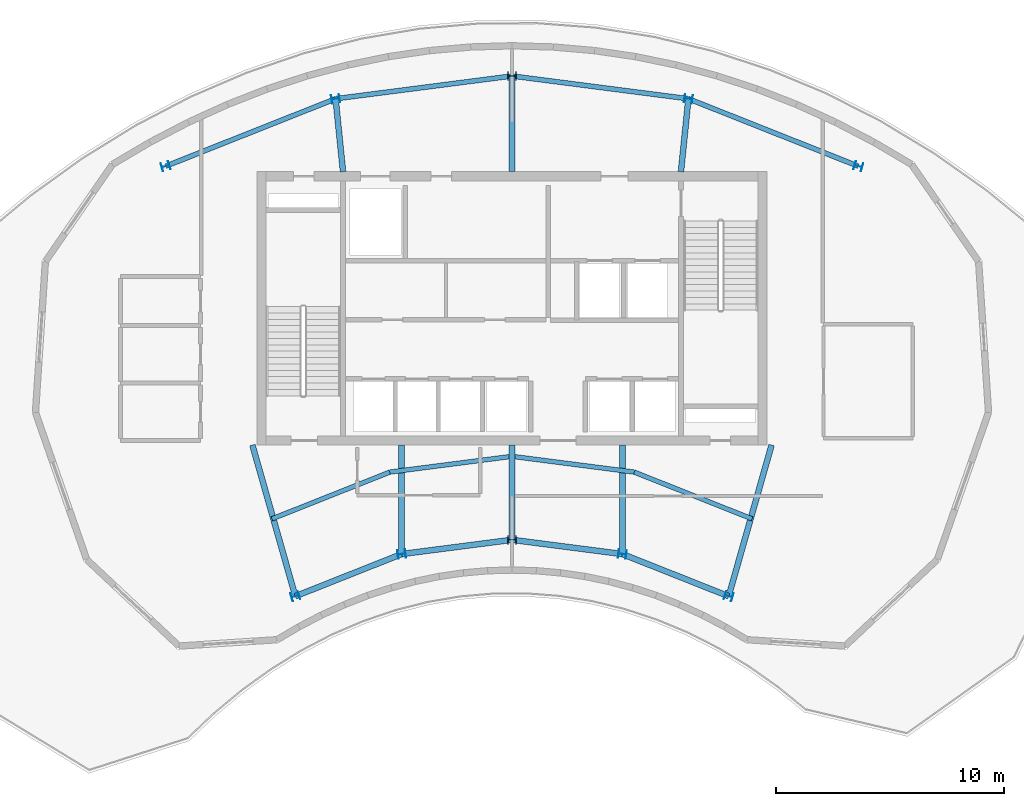
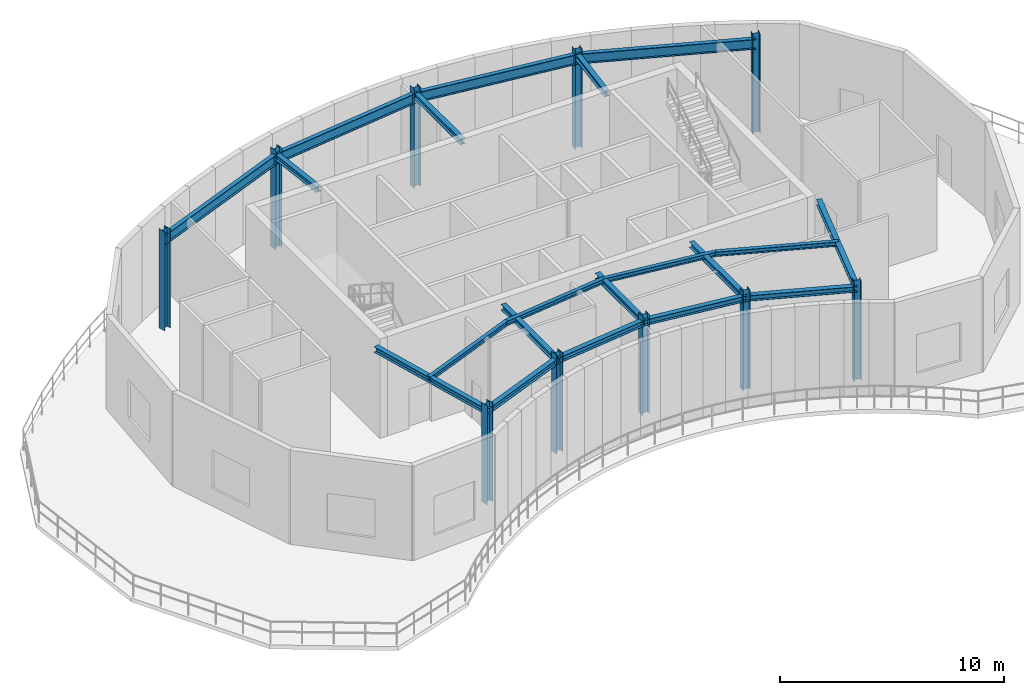
# One storey, part 1 of 8: 20 beams, 10 columns.
"""IFC4 building model written with IfcOpenShell, lengths in metres."""

from ifc_helpers import new_model, si_unit, direction, frame, origin, origin_2d, place, context, subcontext, project, spatial, i_section, extrude, source, transform, mapped, material, material_profile, profile_set, type_object, element, save


model = new_model("IFC4")

# Units and contexts
model_context = context("Model", 3, precision=1e-05, world=origin(), true_north=direction((0.0, 1.0)))
body_context = subcontext(model_context, "Body", "Model", "MODEL_VIEW")
ifc_project = project(units=[si_unit("LENGTHUNIT", "METRE"), si_unit("AREAUNIT", "SQUARE_METRE"), si_unit("VOLUMEUNIT", "CUBIC_METRE"), si_unit("PLANEANGLEUNIT", "RADIAN"), si_unit("MASSUNIT", "GRAM", prefix="KILO")], contexts=[model_context])

# Site, building, storey
site_placement = place(None, origin())
site = spatial("IfcSite", under=ifc_project, at=site_placement, CompositionType="ELEMENT")
building_placement = place(site_placement, origin())
building = spatial("IfcBuilding", under=site, at=building_placement, Name="Breltana Convention Tower", CompositionType="ELEMENT")
storey_placement = place(building_placement, frame((0.0, 0.0, 312.60009765625)))
storey = spatial("IfcBuildingStorey", under=building, at=storey_placement, Name="L76", CompositionType="ELEMENT", Elevation=312.60009765625)

# Columns
ifc_material = material(Name="Steel ASTM A992 Grade 50", Category="steel")
ifc_material_profile_1 = material_profile(ifc_material, i_section(OverallWidth=0.368896484375, OverallDepth=0.35595703125, WebThickness=0.01123046875, FlangeThickness=0.01806640625, at=origin_2d()), Name="W14X90")
ifc_profile_set_1 = profile_set([ifc_material_profile_1], Name="Steel ASTM A992 Grade 50")
column_type = type_object("IfcColumnType", Name="COL-STL-W14X90", PredefinedType="COLUMN", material=ifc_profile_set_1)
shared_shape_1 = source(origin(), body_context, "Body", "SweptSolid", [
    extrude(i_section(OverallWidth=0.368896484375, OverallDepth=0.35595703125, WebThickness=0.01123046875, FlangeThickness=0.01806640625, at=origin_2d()), origin(), (0.0, 0.0, 1.0), 5.39990234375),
])
for number, where, z_axis, x_axis, name in (
    (1, (38.485107421875, 53.5576171875, 0.0), (0.0, 0.0, 1.0), (-0.288697611798, 0.957420330337, 0.0), "L76 Tower Column R04-IN"),
    (2, (32.791015625, 72.4423828125, 0.0), (0.0, 0.0, 1.0), (-0.288697611798, 0.957420330337, 0.0), "L76 Tower Column R04-OUT"),
    (3, (43.153564453125, 55.41064453125, 0.0), (0.0, 0.0, 1.0), (-0.143492621991, 0.98965138682, 0.0), "L76 Tower Column R05-IN"),
    (4, (40.253173828125, 75.404296875, 0.0), (0.0, 0.0, 1.0), (-0.143492621991, 0.98965138682, 0.0), "L76 Tower Column R05-OUT"),
    (5, (48.0, 56.035888671875, 0.0), (0.0, 0.0, 1.0), (0.0, 1.0, 0.0), "L76 Tower Column R06-IN"),
    (6, (48.0, 76.404052734375, 0.0), (0.0, 0.0, 1.0), (0.0, 1.0, 0.0), "L76 Tower Column R06-OUT"),
    (7, (52.846435546875, 55.41064453125, 0.0), (0.0, 0.0, 1.0), (0.143492621991, 0.98965138682, 0.0), "L76 Tower Column R07-IN"),
    (8, (55.746826171875, 75.404296875, 0.0), (0.0, 0.0, 1.0), (0.143492621991, 0.98965138682, 0.0), "L76 Tower Column R07-OUT"),
    (9, (57.514892578125, 53.5576171875, 0.0), (0.0, 0.0, 1.0), (0.288697611798, 0.957420330337, 0.0), "L76 Tower Column R08-IN"),
    (10, (63.208984375, 72.4423828125, 0.0), (0.0, 0.0, 1.0), (0.288697611798, 0.957420330337, 0.0), "L76 Tower Column R08-OUT"),
):
    element("IfcColumn", number, at=place(storey_placement, frame(where, z_axis=z_axis, x_axis=x_axis)), inside=storey, type_object=column_type, Name=name, PredefinedType="COLUMN", context=body_context, shape_type="MappedRepresentation", body=[
        mapped(shared_shape_1, transform((0.0, 0.0, 0.0), scale=1.0)),
    ])

# Beams
ifc_material_profile_2 = material_profile(ifc_material, i_section(OverallWidth=0.214111328125, OverallDepth=0.549072265625, WebThickness=0.0146484375, FlangeThickness=0.023681640625, at=origin_2d()), Name="W21X93")
ifc_profile_set_2 = profile_set([ifc_material_profile_2], Name="Steel ASTM A992 Grade 50")
beam_type_1 = type_object("IfcBeamType", Name="BM-SP-W21X93", PredefinedType="SPANDREL", material=ifc_profile_set_2)
shared_shape_2 = source(origin(), body_context, "Body", "SweptSolid", [
    extrude(i_section(OverallWidth=0.214111328125, OverallDepth=0.549072265625, WebThickness=0.0146484375, FlangeThickness=0.023681640625, at=origin_2d()), origin(), (0.0, 0.0, 1.0), 8.028564453125),
])
for number, where, z_axis, x_axis, name in (
    (11, (32.791015625, 72.4423828125, 4.845458984375), (0.929459100394, 0.368925169507, 0.0), (-0.368925169507, 0.929459100394, 0.0), "L76 Outer Spandrel Beam 04"),
    (12, (55.746826171875, 75.404296875, 4.845458984375), (0.929459100394, -0.368925169507, 0.0), (0.368925169507, 0.929459100394, 0.0), "L76 Outer Spandrel Beam 07"),
):
    element("IfcBeam", number, at=place(storey_placement, frame(where, z_axis=z_axis, x_axis=x_axis)), inside=storey, type_object=beam_type_1, Name=name, PredefinedType="SPANDREL", context=body_context, shape_type="MappedRepresentation", body=[
        mapped(shared_shape_2, transform((0.0, 0.0, 0.0), scale=1.0)),
    ])
shared_shape_3 = source(origin(), body_context, "Body", "SweptSolid", [
    extrude(i_section(OverallWidth=0.214111328125, OverallDepth=0.549072265625, WebThickness=0.0146484375, FlangeThickness=0.023681640625, at=origin_2d()), origin(), (0.0, 0.0, 1.0), 7.81103515625),
])
for number, where, z_axis, x_axis, name in (
    (13, (40.253173828125, 75.404296875, 4.845458984375), (0.991775179127, 0.127992164083, 0.0), (-0.127992164083, 0.991775179127, 0.0), "L76 Outer Spandrel Beam 05"),
    (14, (48.0, 76.404052734375, 4.845458984375), (0.991775179127, -0.127992164083, 0.0), (0.127992164083, 0.991775179127, 0.0), "L76 Outer Spandrel Beam 06"),
):
    element("IfcBeam", number, at=place(storey_placement, frame(where, z_axis=z_axis, x_axis=x_axis)), inside=storey, type_object=beam_type_1, Name=name, PredefinedType="SPANDREL", context=body_context, shape_type="MappedRepresentation", body=[
        mapped(shared_shape_3, transform((0.0, 0.0, 0.0), scale=1.0)),
    ])
ifc_material_profile_3 = material_profile(ifc_material, i_section(OverallWidth=0.25390625, OverallDepth=0.305908203125, WebThickness=0.0087890625, FlangeThickness=0.0146484375, at=origin_2d()), Name="W12X53")
ifc_profile_set_3 = profile_set([ifc_material_profile_3], Name="Steel ASTM A992 Grade 50")
beam_type_2 = type_object("IfcBeamType", Name="BM-CN-W12X53", PredefinedType="BEAM", material=ifc_profile_set_3)
shared_shape_4 = source(origin(), body_context, "Body", "SweptSolid", [
    extrude(i_section(OverallWidth=0.25390625, OverallDepth=0.305908203125, WebThickness=0.0087890625, FlangeThickness=0.0146484375, at=origin_2d()), origin(), (0.0, 0.0, 1.0), 6.904541015625),
])
for number, where, z_axis, x_axis, name in (
    (15, (36.60009765625, 60.199951171875, 4.966796875), (0.273006781054, -0.962012108811, 0.0), (0.962012108811, 0.273006781054, 0.0), "L76 South Core Tie Girder R04"),
    (16, (59.39990234375, 60.199951171875, 4.966796875), (-0.273006781054, -0.962012108811, 0.0), (0.962012108811, -0.273006781054, 0.0), "L76 South Core Tie Girder R08"),
):
    element("IfcBeam", number, at=place(storey_placement, frame(where, z_axis=z_axis, x_axis=x_axis)), inside=storey, type_object=beam_type_2, Name=name, PredefinedType="BEAM", context=body_context, shape_type="MappedRepresentation", body=[
        mapped(shared_shape_4, transform((0.0, 0.0, 0.0), scale=1.0)),
    ])
shared_shape_5 = source(origin(), body_context, "Body", "SweptSolid", [
    extrude(i_section(OverallWidth=0.25390625, OverallDepth=0.305908203125, WebThickness=0.0087890625, FlangeThickness=0.0146484375, at=origin_2d()), origin(), (0.0, 0.0, 1.0), 4.789306640625),
])
for number, where, z_axis, x_axis, name in (
    (17, (43.153564453125, 60.199951171875, 4.966796875), (0.0, -1.0, 0.0), (1.0, 0.0, 0.0), "L76 South Core Tie Girder R05"),
    (18, (52.846435546875, 60.199951171875, 4.966796875), (0.0, -1.0, 0.0), (1.0, 0.0, 0.0), "L76 South Core Tie Girder R07"),
):
    element("IfcBeam", number, at=place(storey_placement, frame(where, z_axis=z_axis, x_axis=x_axis)), inside=storey, type_object=beam_type_2, Name=name, PredefinedType="BEAM", context=body_context, shape_type="MappedRepresentation", body=[
        mapped(shared_shape_5, transform((0.0, 0.0, 0.0), scale=1.0)),
    ])
shared_shape_6 = source(origin(), body_context, "Body", "SweptSolid", [
    extrude(i_section(OverallWidth=0.25390625, OverallDepth=0.305908203125, WebThickness=0.0087890625, FlangeThickness=0.0146484375, at=origin_2d()), origin(), (0.0, 0.0, 1.0), 3.220947265625),
])
for number, where, z_axis, x_axis, name in (
    (19, (40.580078125, 72.199951171875, 4.966796875), (-0.101492254858, 0.994836329355, 0.0), (-0.994836329355, -0.101492254858, 0.0), "L76 North Core Radial Girder R05"),
    (20, (55.419921875, 72.199951171875, 4.966796875), (0.101492254858, 0.994836329355, 0.0), (-0.994836329355, 0.101492254858, 0.0), "L76 North Core Radial Girder R07"),
):
    element("IfcBeam", number, at=place(storey_placement, frame(where, z_axis=z_axis, x_axis=x_axis)), inside=storey, type_object=beam_type_2, Name=name, PredefinedType="BEAM", context=body_context, shape_type="MappedRepresentation", body=[
        mapped(shared_shape_6, transform((0.0, 0.0, 0.0), scale=1.0)),
    ])
shared_shape_7 = source(origin(), body_context, "Body", "SweptSolid", [
    extrude(i_section(OverallWidth=0.25390625, OverallDepth=0.305908203125, WebThickness=0.0087890625, FlangeThickness=0.0146484375, at=origin_2d()), origin(), (0.0, 0.0, 1.0), 4.1640625),
])
beam_1_placement = place(storey_placement, frame((48.0, 60.199951171875, 4.966796875), z_axis=(0.0, -1.0, 0.0), x_axis=(1.0, 0.0, 0.0)))
element("IfcBeam", 21, at=beam_1_placement, inside=storey, type_object=beam_type_2, Name="L76 South Core Tie Girder R06", PredefinedType="BEAM", context=body_context, shape_type="MappedRepresentation", body=[
    mapped(shared_shape_7, transform((0.0, 0.0, 0.0), scale=1.0)),
])
shared_shape_8 = source(origin(), body_context, "Body", "SweptSolid", [
    extrude(i_section(OverallWidth=0.25390625, OverallDepth=0.305908203125, WebThickness=0.0087890625, FlangeThickness=0.0146484375, at=origin_2d()), origin(), (0.0, 0.0, 1.0), 4.2041015625),
])
beam_2_placement = place(storey_placement, frame((48.0, 72.199951171875, 4.966796875), z_axis=(0.0, 1.0, 0.0), x_axis=(-1.0, 0.0, 0.0)))
element("IfcBeam", 22, at=beam_2_placement, inside=storey, type_object=beam_type_2, Name="L76 North Core Radial Girder R06", PredefinedType="BEAM", context=body_context, shape_type="MappedRepresentation", body=[
    mapped(shared_shape_8, transform((0.0, 0.0, 0.0), scale=1.0)),
])
shared_shape_9 = source(origin(), body_context, "Body", "SweptSolid", [
    extrude(i_section(OverallWidth=0.25390625, OverallDepth=0.305908203125, WebThickness=0.0087890625, FlangeThickness=0.0146484375, at=origin_2d()), origin(), (0.0, 0.0, 1.0), 5.022705078125),
])
for number, where, z_axis, x_axis, name in (
    (23, (38.485107421875, 53.5576171875, 4.966796875), (0.929458966248, 0.368925507469, 0.0), (-0.368925507469, 0.929458966248, 0.0), "L76 Inner Ring Beam 04"),
    (24, (52.846435546875, 55.41064453125, 4.966796875), (0.929458966248, -0.368925507469, 0.0), (0.368925507469, 0.929458966248, 0.0), "L76 Inner Ring Beam 07"),
):
    element("IfcBeam", number, at=place(storey_placement, frame(where, z_axis=z_axis, x_axis=x_axis)), inside=storey, type_object=beam_type_2, Name=name, PredefinedType="BEAM", context=body_context, shape_type="MappedRepresentation", body=[
        mapped(shared_shape_9, transform((0.0, 0.0, 0.0), scale=1.0)),
    ])
shared_shape_10 = source(origin(), body_context, "Body", "SweptSolid", [
    extrude(i_section(OverallWidth=0.25390625, OverallDepth=0.305908203125, WebThickness=0.0087890625, FlangeThickness=0.0146484375, at=origin_2d()), origin(), (0.0, 0.0, 1.0), 4.88671875),
])
for number, where, z_axis, x_axis, name in (
    (25, (43.153564453125, 55.41064453125, 4.966796875), (0.991780525565, 0.127950729231, 0.0), (-0.127950729231, 0.991780525565, 0.0), "L76 Inner Ring Beam 05"),
    (26, (48.0, 56.035888671875, 4.966796875), (0.991780525565, -0.127950729231, 0.0), (0.127950729231, 0.991780525565, 0.0), "L76 Inner Ring Beam 06"),
):
    element("IfcBeam", number, at=place(storey_placement, frame(where, z_axis=z_axis, x_axis=x_axis)), inside=storey, type_object=beam_type_2, Name=name, PredefinedType="BEAM", context=body_context, shape_type="MappedRepresentation", body=[
        mapped(shared_shape_10, transform((0.0, 0.0, 0.0), scale=1.0)),
    ])
ifc_material_profile_4 = material_profile(ifc_material, i_section(OverallWidth=0.201904296875, OverallDepth=0.2470703125, WebThickness=0.00732421875, FlangeThickness=0.010986328125, at=origin_2d()), Name="W10X33")
ifc_profile_set_4 = profile_set([ifc_material_profile_4], Name="Steel ASTM A992 Grade 50")
beam_type_3 = type_object("IfcBeamType", Name="BM-LN-W10X33", PredefinedType="LINTEL", material=ifc_profile_set_4)
shared_shape_11 = source(origin(), body_context, "Body", "SweptSolid", [
    extrude(i_section(OverallWidth=0.201904296875, OverallDepth=0.2470703125, WebThickness=0.00732421875, FlangeThickness=0.010986328125, at=origin_2d()), origin(), (0.0, 0.0, 1.0), 5.563720703125),
])
for number, where, z_axis, x_axis, name in (
    (27, (37.460205078125, 56.956787109375, 4.996337890625), (0.929447960386, 0.368953234074, 0.0), (-0.368953234074, 0.929447960386, 0.0), "L76 Composite Floor Joist 04.1"),
    (28, (53.36865234375, 59.009521484375, 4.996337890625), (0.929447960386, -0.368953234074, 0.0), (0.368953234074, 0.929447960386, 0.0), "L76 Composite Floor Joist 07.1"),
):
    element("IfcBeam", number, at=place(storey_placement, frame(where, z_axis=z_axis, x_axis=x_axis)), inside=storey, type_object=beam_type_3, Name=name, PredefinedType="LINTEL", context=body_context, shape_type="MappedRepresentation", body=[
        mapped(shared_shape_11, transform((0.0, 0.0, 0.0), scale=1.0)),
    ])
shared_shape_12 = source(origin(), body_context, "Body", "SweptSolid", [
    extrude(i_section(OverallWidth=0.201904296875, OverallDepth=0.2470703125, WebThickness=0.00732421875, FlangeThickness=0.010986328125, at=origin_2d()), origin(), (0.0, 0.0, 1.0), 5.4130859375),
])
for number, where, z_axis, x_axis, name in (
    (29, (42.63134765625, 59.009521484375, 4.996337890625), (0.991780266945, 0.127952733848, 0.0), (-0.127952733848, 0.991780266945, 0.0), "L76 Composite Floor Joist 05.1"),
    (30, (48.0, 59.7021484375, 4.996337890625), (0.991780266945, -0.127952733848, 0.0), (0.127952733848, 0.991780266945, 0.0), "L76 Composite Floor Joist 06.1"),
):
    element("IfcBeam", number, at=place(storey_placement, frame(where, z_axis=z_axis, x_axis=x_axis)), inside=storey, type_object=beam_type_3, Name=name, PredefinedType="LINTEL", context=body_context, shape_type="MappedRepresentation", body=[
        mapped(shared_shape_12, transform((0.0, 0.0, 0.0), scale=1.0)),
    ])

save(model, "model.ifc")
